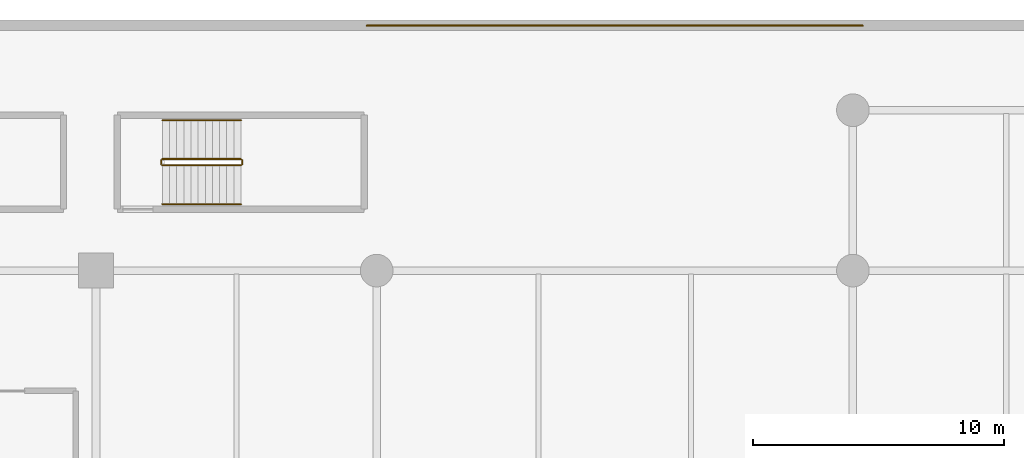
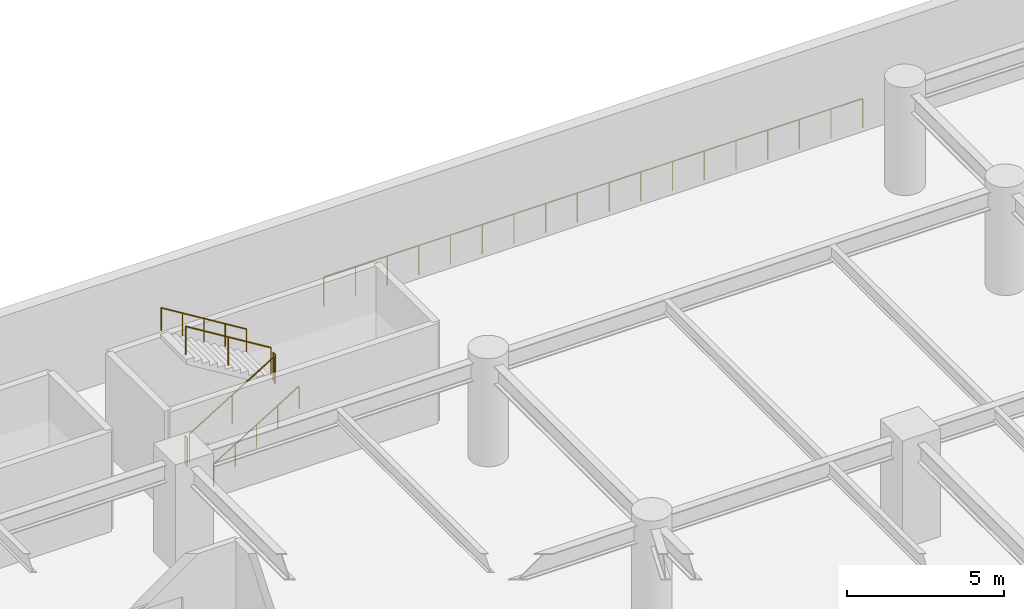
# One storey, part 25 of 25: 7 railings.
"""IFC4 building model written with IfcOpenShell, lengths in metres."""

from ifc_helpers import new_model, si_unit, direction, frame, origin, origin_2d, place, context, subcontext, project, spatial, circle, extrude, material, type_object, element, save


model = new_model("IFC4")

# Units and contexts
model_context = context("Model", 3, precision=1e-05, world=origin(), true_north=direction((0.0, 1.0)))
body_context = subcontext(model_context, "Body", "Model", "MODEL_VIEW")
ifc_project = project(units=[si_unit("LENGTHUNIT", "METRE"), si_unit("AREAUNIT", "SQUARE_METRE"), si_unit("VOLUMEUNIT", "CUBIC_METRE"), si_unit("PLANEANGLEUNIT", "RADIAN"), si_unit("MASSUNIT", "GRAM", prefix="KILO")], contexts=[model_context])

# Site, building, storey
site_placement = place(None, origin())
site = spatial("IfcSite", under=ifc_project, at=site_placement, CompositionType="ELEMENT")
building_placement = place(site_placement, origin())
building = spatial("IfcBuilding", under=site, at=building_placement, Name="Narakoshi Arena Tower", CompositionType="ELEMENT")
storey_placement = place(building_placement, frame((0.0, 0.0, 9.0)))
storey = spatial("IfcBuildingStorey", under=building, at=storey_placement, Name="L02", CompositionType="ELEMENT", Elevation=9.0)

# Railings
ifc_material_1 = material(Name="Clear low-iron laminated structural glass", Category="glass")
railing_type_1 = type_object("IfcRailingType", Name="RL-BAL-1100", PredefinedType="BALUSTRADE", material=ifc_material_1)
railing_1_placement = place(storey_placement, frame((42.64990234375, 90.199951171875, 0.175048828125)))
element("IfcRailing", 1, at=railing_1_placement, inside=storey, type_object=railing_type_1, Name="L02 AST8 stair guard 1", PredefinedType="BALUSTRADE", context=body_context, shape_type="SweptSolid", body=[
    extrude(circle(Radius=0.02392578125, at=origin_2d()), frame((0.0, 0.0, 1.09619140625), z_axis=(0.852166034122, 0.0, 0.523271488128), x_axis=(0.0, 1.0, 0.0)), (0.0, 0.0, 1.0), 3.678955078125),
    extrude(circle(Radius=0.02099609375, at=origin_2d()), origin(), (0.0, 0.0, 1.0), 1.072021484375),
    extrude(circle(Radius=0.02099609375, at=origin_2d()), frame((1.5673828125, 0.0, 0.96240234375)), (0.0, 0.0, 1.0), 1.072021484375),
    extrude(circle(Radius=0.02099609375, at=origin_2d()), frame((3.135009765625, 0.0, 1.925048828125)), (0.0, 0.0, 1.0), 1.072021484375),
])
railing_2_placement = place(storey_placement, frame((45.8349609375, 90.25, 2.10009765625)))
element("IfcRailing", 2, at=railing_2_placement, inside=storey, type_object=railing_type_1, Name="L02 AST8 stair guard 2", PredefinedType="BALUSTRADE", context=body_context, shape_type="SweptSolid", body=[
    extrude(circle(Radius=0.02392578125, at=origin_2d()), frame((0.0, 0.0, 1.09619140625), z_axis=(0.0, 1.0, 0.0), x_axis=(-1.0, 0.0, 0.0)), (0.0, 0.0, 1.0), 0.14990234375),
    extrude(circle(Radius=0.02099609375, at=origin_2d()), origin(), (0.0, 0.0, 1.0), 1.072021484375),
    extrude(circle(Radius=0.02099609375, at=origin_2d()), frame((0.0, 0.14990234375, 0.0)), (0.0, 0.0, 1.0), 1.072021484375),
])
railing_3_placement = place(storey_placement, frame((45.784912109375, 90.449951171875, 2.27490234375)))
element("IfcRailing", 3, at=railing_3_placement, inside=storey, type_object=railing_type_1, Name="L02 AST8 stair guard 3", PredefinedType="BALUSTRADE", context=body_context, shape_type="SweptSolid", body=[
    extrude(circle(Radius=0.02392578125, at=origin_2d()), frame((0.0, 0.0, 1.09619140625), z_axis=(-0.852166034122, 0.0, 0.523271488128), x_axis=(0.0, -1.0, 0.0)), (0.0, 0.0, 1.0), 3.678955078125),
    extrude(circle(Radius=0.02099609375, at=origin_2d()), origin(), (0.0, 0.0, 1.0), 1.072021484375),
    extrude(circle(Radius=0.02099609375, at=origin_2d()), frame((-1.5673828125, 0.0, 0.96240234375)), (0.0, 0.0, 1.0), 1.072021484375),
    extrude(circle(Radius=0.02099609375, at=origin_2d()), frame((-3.135009765625, 0.0, 1.925048828125)), (0.0, 0.0, 1.0), 1.072021484375),
])
railing_4_placement = place(storey_placement, frame((42.60009765625, 90.25, 0.0)))
element("IfcRailing", 4, at=railing_4_placement, inside=storey, type_object=railing_type_1, Name="L02 AST8 stair guard 4", PredefinedType="BALUSTRADE", context=body_context, shape_type="SweptSolid", body=[
    extrude(circle(Radius=0.02392578125, at=origin_2d()), frame((0.0, 0.0, 1.09619140625), z_axis=(0.0, 1.0, 0.0), x_axis=(-1.0, 0.0, 0.0)), (0.0, 0.0, 1.0), 0.14990234375),
    extrude(circle(Radius=0.02099609375, at=origin_2d()), origin(), (0.0, 0.0, 1.0), 1.072021484375),
    extrude(circle(Radius=0.02099609375, at=origin_2d()), frame((0.0, 0.14990234375, 0.0)), (0.0, 0.0, 1.0), 1.072021484375),
])
ifc_material_2 = material(Name="Brushed bronze stainless steel", Category="steel")
railing_type_2 = type_object("IfcRailingType", Name="RL-GRD-1150", PredefinedType="GUARDRAIL", material=ifc_material_2)
railing_5_placement = place(storey_placement, frame((50.800048828125, 95.780029296875, 0.0)))
element("IfcRailing", 5, at=railing_5_placement, inside=storey, type_object=railing_type_2, Name="L02 Concourse Portal Sill Guardrail PN", PredefinedType="GUARDRAIL", context=body_context, shape_type="SweptSolid", body=[
    extrude(circle(Radius=0.02392578125, at=origin_2d()), frame((0.0, 0.0, 1.1259765625), z_axis=(1.0, 0.0, 0.0), x_axis=(0.0, 1.0, 0.0)), (0.0, 0.0, 1.0), 19.800048828125),
    extrude(circle(Radius=0.02099609375, at=origin_2d()), origin(), (0.0, 0.0, 1.0), 1.101806640625),
    extrude(circle(Radius=0.02099609375, at=origin_2d()), frame((1.164794921875, 0.0, 0.0)), (0.0, 0.0, 1.0), 1.101806640625),
    extrude(circle(Radius=0.02099609375, at=origin_2d()), frame((2.329345703125, 0.0, 0.0)), (0.0, 0.0, 1.0), 1.101806640625),
    extrude(circle(Radius=0.02099609375, at=origin_2d()), frame((3.494140625, 0.0, 0.0)), (0.0, 0.0, 1.0), 1.101806640625),
    extrude(circle(Radius=0.02099609375, at=origin_2d()), frame((4.658935546875, 0.0, 0.0)), (0.0, 0.0, 1.0), 1.101806640625),
    extrude(circle(Radius=0.02099609375, at=origin_2d()), frame((5.823486328125, 0.0, 0.0)), (0.0, 0.0, 1.0), 1.101806640625),
    extrude(circle(Radius=0.02099609375, at=origin_2d()), frame((6.98828125, 0.0, 0.0)), (0.0, 0.0, 1.0), 1.101806640625),
    extrude(circle(Radius=0.02099609375, at=origin_2d()), frame((8.153076171875, 0.0, 0.0)), (0.0, 0.0, 1.0), 1.101806640625),
    extrude(circle(Radius=0.02099609375, at=origin_2d()), frame((9.317626953125, 0.0, 0.0)), (0.0, 0.0, 1.0), 1.101806640625),
    extrude(circle(Radius=0.02099609375, at=origin_2d()), frame((10.482421875, 0.0, 0.0)), (0.0, 0.0, 1.0), 1.101806640625),
    extrude(circle(Radius=0.02099609375, at=origin_2d()), frame((11.64697265625, 0.0, 0.0)), (0.0, 0.0, 1.0), 1.101806640625),
    extrude(circle(Radius=0.02099609375, at=origin_2d()), frame((12.811767578125, 0.0, 0.0)), (0.0, 0.0, 1.0), 1.101806640625),
    extrude(circle(Radius=0.02099609375, at=origin_2d()), frame((13.9765625, 0.0, 0.0)), (0.0, 0.0, 1.0), 1.101806640625),
    extrude(circle(Radius=0.02099609375, at=origin_2d()), frame((15.14111328125, 0.0, 0.0)), (0.0, 0.0, 1.0), 1.101806640625),
    extrude(circle(Radius=0.02099609375, at=origin_2d()), frame((16.305908203125, 0.0, 0.0)), (0.0, 0.0, 1.0), 1.101806640625),
    extrude(circle(Radius=0.02099609375, at=origin_2d()), frame((17.470703125, 0.0, 0.0)), (0.0, 0.0, 1.0), 1.101806640625),
    extrude(circle(Radius=0.02099609375, at=origin_2d()), frame((18.63525390625, 0.0, 0.0)), (0.0, 0.0, 1.0), 1.101806640625),
    extrude(circle(Radius=0.02099609375, at=origin_2d()), frame((19.800048828125, 0.0, 0.0)), (0.0, 0.0, 1.0), 1.101806640625),
])
railing_type_3 = type_object("IfcRailingType", Name="RL-HND-900", PredefinedType="HANDRAIL", material=ifc_material_2)
railing_6_placement = place(storey_placement, frame((42.64990234375, 88.64990234375, 0.175048828125)))
element("IfcRailing", 6, at=railing_6_placement, inside=storey, type_object=railing_type_3, Name="L02 AST8 stair handrail 1", PredefinedType="HANDRAIL", context=body_context, shape_type="SweptSolid", body=[
    extrude(circle(Radius=0.02392578125, at=origin_2d()), frame((0.0, 0.0, 0.8759765625), z_axis=(0.852166034122, 0.0, 0.523271488128), x_axis=(0.0, 1.0, 0.0)), (0.0, 0.0, 1.0), 3.678955078125),
    extrude(circle(Radius=0.02099609375, at=origin_2d()), origin(), (0.0, 0.0, 1.0), 0.851806640625),
    extrude(circle(Radius=0.02099609375, at=origin_2d()), frame((0.78369140625, 0.0, 0.481201171875)), (0.0, 0.0, 1.0), 0.851806640625),
    extrude(circle(Radius=0.02099609375, at=origin_2d()), frame((1.5673828125, 0.0, 0.96240234375)), (0.0, 0.0, 1.0), 0.851806640625),
    extrude(circle(Radius=0.02099609375, at=origin_2d()), frame((2.351318359375, 0.0, 1.44384765625)), (0.0, 0.0, 1.0), 0.851806640625),
    extrude(circle(Radius=0.02099609375, at=origin_2d()), frame((3.135009765625, 0.0, 1.925048828125)), (0.0, 0.0, 1.0), 0.851806640625),
])
railing_7_placement = place(storey_placement, frame((45.784912109375, 92.0, 2.27490234375)))
element("IfcRailing", 7, at=railing_7_placement, inside=storey, type_object=railing_type_3, Name="L02 AST8 stair handrail 2", PredefinedType="HANDRAIL", context=body_context, shape_type="SweptSolid", body=[
    extrude(circle(Radius=0.02392578125, at=origin_2d()), frame((0.0, 0.0, 0.8759765625), z_axis=(-0.852166034122, 0.0, 0.523271488128), x_axis=(0.0, -1.0, 0.0)), (0.0, 0.0, 1.0), 3.678955078125),
    extrude(circle(Radius=0.02099609375, at=origin_2d()), origin(), (0.0, 0.0, 1.0), 0.851806640625),
    extrude(circle(Radius=0.02099609375, at=origin_2d()), frame((-0.78369140625, 0.0, 0.481201171875)), (0.0, 0.0, 1.0), 0.851806640625),
    extrude(circle(Radius=0.02099609375, at=origin_2d()), frame((-1.5673828125, 0.0, 0.96240234375)), (0.0, 0.0, 1.0), 0.851806640625),
    extrude(circle(Radius=0.02099609375, at=origin_2d()), frame((-2.351318359375, 0.0, 1.44384765625)), (0.0, 0.0, 1.0), 0.851806640625),
    extrude(circle(Radius=0.02099609375, at=origin_2d()), frame((-3.135009765625, 0.0, 1.925048828125)), (0.0, 0.0, 1.0), 0.851806640625),
])

save(model, "model.ifc")
